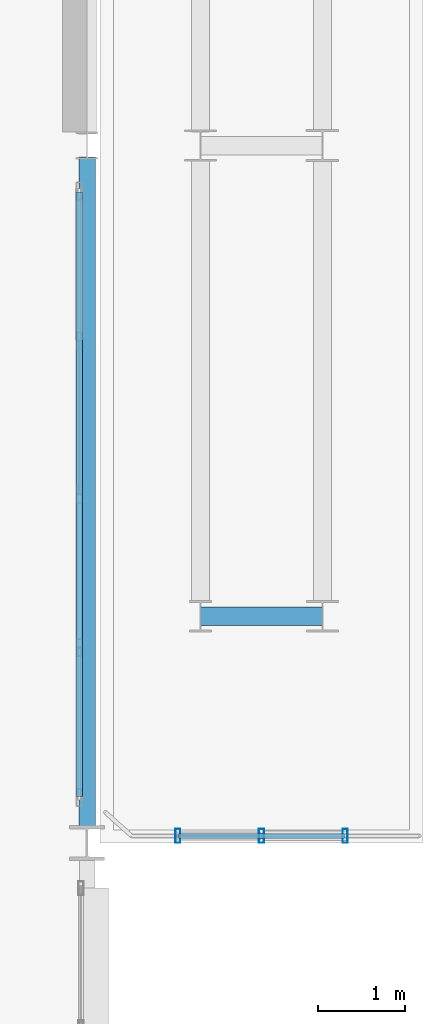
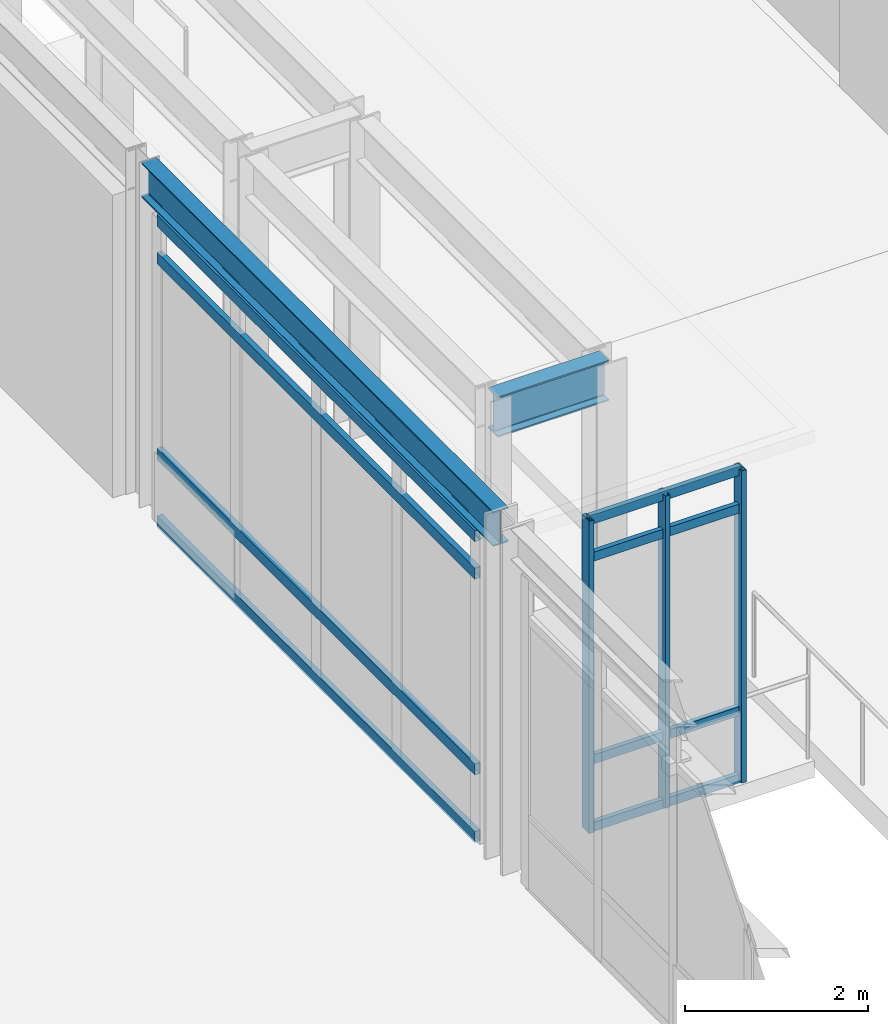
# One storey, part 29 of 200: 11 members, 2 beams, 2 elements without a shape of their own.
"""IFC4 building model written with IfcOpenShell, lengths in metres."""

from ifc_helpers import new_model, si_unit, direction, frame, origin, origin_2d, place, context, subcontext, project, spatial, hollow_rectangle, i_section, extrude, material, material_profile, profile_set, type_object, element, aggregate, save


model = new_model("IFC4")

# Units and contexts
model_context = context("Model", 3, precision=1e-05, world=origin(), true_north=direction((0.0, 1.0)))
body_context = subcontext(model_context, "Body", "Model", "MODEL_VIEW")
ifc_project = project(units=[si_unit("LENGTHUNIT", "METRE"), si_unit("AREAUNIT", "SQUARE_METRE"), si_unit("VOLUMEUNIT", "CUBIC_METRE"), si_unit("PLANEANGLEUNIT", "RADIAN"), si_unit("MASSUNIT", "GRAM", prefix="KILO"), si_unit("THERMODYNAMICTEMPERATUREUNIT", "KELVIN"), si_unit("POWERUNIT", "WATT")], contexts=[model_context])

# Site, building, storey
site_placement = place(None, origin())
site = spatial("IfcSite", under=ifc_project, at=site_placement, CompositionType="ELEMENT")
building_placement = place(site_placement, origin())
building = spatial("IfcBuilding", under=site, at=building_placement, Name="Tepalcoro Natatorium and Aquatics Centre", CompositionType="ELEMENT")
storey_placement = place(building_placement, frame((0.0, 0.0, 5.39990234375)))
storey = spatial("IfcBuildingStorey", under=building, at=storey_placement, Name="L01", CompositionType="ELEMENT", Elevation=5.39990234375)

# Beam
ifc_material_1 = material(Name="Steel ASTM A992 Grade 50 (Fy 345 MPa)", Category="steel")
ifc_material_profile_1 = material_profile(ifc_material_1, i_section(OverallWidth=0.2109375, OverallDepth=0.5380859375, WebThickness=0.011962890625, FlangeThickness=0.01904296875, FilletRadius=0.013916015625, at=origin_2d()), Name="W21X73")
ifc_profile_set_1 = profile_set([ifc_material_profile_1], Name="Steel ASTM A992 Grade 50 (Fy 345 MPa)")
beam_type_1 = type_object("IfcBeamType", Name="BM_LINK_LB1", PredefinedType="BEAM", material=ifc_profile_set_1)
beam_1_placement = place(storey_placement, frame((37.300048828125, 30.60009765625, 3.9560546875), z_axis=(1.0, 0.0, 0.0), x_axis=(0.0, 1.0, 0.0)))
element("IfcBeam", 1, at=beam_1_placement, inside=storey, type_object=beam_type_1, Name="Seismic passage link beam LB1 (V6W L01)", PredefinedType="BEAM", context=body_context, shape_type="SweptSolid", body=[
    extrude(i_section(OverallWidth=0.2109375, OverallDepth=0.5380859375, WebThickness=0.011962890625, FlangeThickness=0.01904296875, FilletRadius=0.013916015625, at=origin_2d()), origin(), (0.0, 0.0, 1.0), 1.39990234375),
])

# Curtain wall, members
ifc_material_2 = material(Name="Bronze-Anodised Extruded Aluminium Alloy EN AW-6063 T6", Category="aluminium")
curtain_wall_type_1 = type_object("IfcCurtainWallType", Name="CW_LINK_150", PredefinedType="USERDEFINED", material=ifc_material_2)
curtain_wall_1_placement = place(storey_placement, origin())
curtain_wall_1 = element("IfcCurtainWall", 2, at=curtain_wall_1_placement, inside=storey, type_object=curtain_wall_type_1, Name="West Foyer Seismic Link Glazed Wall S L01", ObjectType="UNITISED STOREFRONT", PredefinedType="USERDEFINED")
ifc_material_profile_2 = material_profile(ifc_material_2, hollow_rectangle(XDim=0.06005859375, YDim=0.159912109375, WallThickness=0.00390625, at=origin_2d()), Name="AL60X160X4")
ifc_profile_set_2 = profile_set([ifc_material_profile_2], Name="Bronze-Anodised Extruded Aluminium Alloy EN AW-6063 T6")
member_type_1 = type_object("IfcMemberType", Name="CW_MUL_60x160", PredefinedType="MULLION", material=ifc_profile_set_2)
member_1_placement = place(storey_placement, frame((37.0400390625, 28.080078125, 0.02001953125), z_axis=(0.0, 0.0, 1.0), x_axis=(1.0, 0.0, 0.0)))
member_1 = element("IfcMember", 3, at=member_1_placement, type_object=member_type_1, Name="CW_LINK_150 Curtain Wall Mullion", PredefinedType="MULLION", context=body_context, shape_type="SweptSolid", body=[
    extrude(hollow_rectangle(XDim=0.06005859375, YDim=0.159912109375, WallThickness=0.00390625, at=origin_2d()), origin(), (0.0, 0.0, 1.0), 4.16015625),
])
member_2_placement = place(storey_placement, frame((38.0, 28.080078125, 0.02001953125), z_axis=(0.0, 0.0, 1.0), x_axis=(1.0, 0.0, 0.0)))
member_2 = element("IfcMember", 4, at=member_2_placement, type_object=member_type_1, Name="CW_LINK_150 Curtain Wall Mullion", PredefinedType="MULLION", context=body_context, shape_type="SweptSolid", body=[
    extrude(hollow_rectangle(XDim=0.06005859375, YDim=0.159912109375, WallThickness=0.00390625, at=origin_2d()), origin(), (0.0, 0.0, 1.0), 4.16015625),
])
member_3_placement = place(storey_placement, frame((38.9599609375, 28.080078125, 0.02001953125), z_axis=(0.0, 0.0, 1.0), x_axis=(1.0, 0.0, 0.0)))
member_3 = element("IfcMember", 5, at=member_3_placement, type_object=member_type_1, Name="CW_LINK_150 Curtain Wall Mullion", PredefinedType="MULLION", context=body_context, shape_type="SweptSolid", body=[
    extrude(hollow_rectangle(XDim=0.06005859375, YDim=0.159912109375, WallThickness=0.00390625, at=origin_2d()), origin(), (0.0, 0.0, 1.0), 4.16015625),
])
ifc_material_profile_3 = material_profile(ifc_material_2, hollow_rectangle(XDim=0.06005859375, YDim=0.1201171875, WallThickness=0.00390625, at=origin_2d()), Name="AL60X120X4")
ifc_profile_set_3 = profile_set([ifc_material_profile_3], Name="Bronze-Anodised Extruded Aluminium Alloy EN AW-6063 T6")
member_type_2 = type_object("IfcMemberType", Name="CW_TRN_60x120", PredefinedType="USERDEFINED", material=ifc_profile_set_3)
member_4_placement = place(storey_placement, frame((37.050048828125, 28.080078125, 0.050048828125), z_axis=(1.0, 0.0, 0.0), x_axis=(0.0, 1.0, 0.0)))
member_4 = element("IfcMember", 6, at=member_4_placement, type_object=member_type_2, Name="CW_LINK_150 Curtain Wall Transom", ObjectType="TRANSOM", PredefinedType="USERDEFINED", context=body_context, shape_type="SweptSolid", body=[
    extrude(hollow_rectangle(XDim=0.06005859375, YDim=0.1201171875, WallThickness=0.00390625, at=origin_2d()), origin(), (0.0, 0.0, 1.0), 1.89990234375),
])
member_5_placement = place(storey_placement, frame((37.050048828125, 28.080078125, 0.9501953125), z_axis=(1.0, 0.0, 0.0), x_axis=(0.0, 1.0, 0.0)))
member_5 = element("IfcMember", 7, at=member_5_placement, type_object=member_type_2, Name="CW_LINK_150 Curtain Wall Transom", ObjectType="TRANSOM", PredefinedType="USERDEFINED", context=body_context, shape_type="SweptSolid", body=[
    extrude(hollow_rectangle(XDim=0.06005859375, YDim=0.1201171875, WallThickness=0.00390625, at=origin_2d()), origin(), (0.0, 0.0, 1.0), 1.89990234375),
])
member_6_placement = place(storey_placement, frame((37.050048828125, 28.080078125, 3.650146484375), z_axis=(1.0, 0.0, 0.0), x_axis=(0.0, 1.0, 0.0)))
member_6 = element("IfcMember", 8, at=member_6_placement, type_object=member_type_2, Name="CW_LINK_150 Curtain Wall Transom", ObjectType="TRANSOM", PredefinedType="USERDEFINED", context=body_context, shape_type="SweptSolid", body=[
    extrude(hollow_rectangle(XDim=0.06005859375, YDim=0.1201171875, WallThickness=0.00390625, at=origin_2d()), origin(), (0.0, 0.0, 1.0), 1.89990234375),
])
member_7_placement = place(storey_placement, frame((37.050048828125, 28.080078125, 4.150146484375), z_axis=(1.0, 0.0, 0.0), x_axis=(0.0, 1.0, 0.0)))
member_7 = element("IfcMember", 9, at=member_7_placement, type_object=member_type_2, Name="CW_LINK_150 Curtain Wall Transom", ObjectType="TRANSOM", PredefinedType="USERDEFINED", context=body_context, shape_type="SweptSolid", body=[
    extrude(hollow_rectangle(XDim=0.06005859375, YDim=0.1201171875, WallThickness=0.00390625, at=origin_2d()), origin(), (0.0, 0.0, 1.0), 1.89990234375),
])
aggregate(curtain_wall_1, [member_1, member_2, member_3, member_4, member_5, member_6, member_7])

curtain_wall_type_2 = type_object("IfcCurtainWallType", Name="CW_V1_PLINTH", PredefinedType="USERDEFINED", material=ifc_material_2)
curtain_wall_2_placement = place(storey_placement, origin())
curtain_wall_2 = element("IfcCurtainWall", 10, at=curtain_wall_2_placement, inside=storey, type_object=curtain_wall_type_2, Name="V3 L01 E Unitised Curtain Wall Bay 4", ObjectType="UNITISED STOREFRONT", PredefinedType="USERDEFINED")
ifc_material_profile_4 = material_profile(ifc_material_2, hollow_rectangle(XDim=0.070068359375, YDim=0.14990234375, WallThickness=0.00390625, at=origin_2d()), Name="AL70X150X4")
ifc_profile_set_4 = profile_set([ifc_material_profile_4], Name="Bronze-Anodised Extruded Aluminium Alloy EN AW-6063 T6")
member_type_3 = type_object("IfcMemberType", Name="CW_TRN_70x150", PredefinedType="USERDEFINED", material=ifc_profile_set_4)
member_8_placement = place(storey_placement, frame((35.909912109375, 28.530029296875, 0.050048828125), z_axis=(0.0, 1.0, 0.0), x_axis=(-1.0, 0.0, 0.0)))
member_8 = element("IfcMember", 11, at=member_8_placement, type_object=member_type_3, Name="CW_V1_PLINTH Curtain Wall Transom", ObjectType="TRANSOM", PredefinedType="USERDEFINED", context=body_context, shape_type="SweptSolid", body=[
    extrude(hollow_rectangle(XDim=0.070068359375, YDim=0.14990234375, WallThickness=0.00390625, at=origin_2d()), origin(), (0.0, 0.0, 1.0), 6.93994140625),
])
member_9_placement = place(storey_placement, frame((35.909912109375, 28.530029296875, 0.9501953125), z_axis=(0.0, 1.0, 0.0), x_axis=(-1.0, 0.0, 0.0)))
member_9 = element("IfcMember", 12, at=member_9_placement, type_object=member_type_3, Name="CW_V1_PLINTH Curtain Wall Transom", ObjectType="TRANSOM", PredefinedType="USERDEFINED", context=body_context, shape_type="SweptSolid", body=[
    extrude(hollow_rectangle(XDim=0.070068359375, YDim=0.14990234375, WallThickness=0.00390625, at=origin_2d()), origin(), (0.0, 0.0, 1.0), 6.93994140625),
])
member_10_placement = place(storey_placement, frame((35.909912109375, 28.530029296875, 3.56005859375), z_axis=(0.0, 1.0, 0.0), x_axis=(-1.0, 0.0, 0.0)))
member_10 = element("IfcMember", 13, at=member_10_placement, type_object=member_type_3, Name="CW_V1_PLINTH Curtain Wall Transom", ObjectType="TRANSOM", PredefinedType="USERDEFINED", context=body_context, shape_type="SweptSolid", body=[
    extrude(hollow_rectangle(XDim=0.070068359375, YDim=0.14990234375, WallThickness=0.00390625, at=origin_2d()), origin(), (0.0, 0.0, 1.0), 6.93994140625),
])
member_11_placement = place(storey_placement, frame((35.909912109375, 28.530029296875, 4.06005859375), z_axis=(0.0, 1.0, 0.0), x_axis=(-1.0, 0.0, 0.0)))
member_11 = element("IfcMember", 14, at=member_11_placement, type_object=member_type_3, Name="CW_V1_PLINTH Curtain Wall Transom", ObjectType="TRANSOM", PredefinedType="USERDEFINED", context=body_context, shape_type="SweptSolid", body=[
    extrude(hollow_rectangle(XDim=0.070068359375, YDim=0.14990234375, WallThickness=0.00390625, at=origin_2d()), origin(), (0.0, 0.0, 1.0), 6.93994140625),
])
aggregate(curtain_wall_2, [member_8, member_9, member_10, member_11])

# Beam
ifc_material_profile_5 = material_profile(ifc_material_1, i_section(OverallWidth=0.19091796875, OverallDepth=0.4599609375, WebThickness=0.010009765625, FlangeThickness=0.01611328125, FilletRadius=0.013916015625, at=origin_2d()), Name="W18X55")
ifc_profile_set_5 = profile_set([ifc_material_profile_5], Name="Steel ASTM A992 Grade 50 (Fy 345 MPa)")
beam_type_2 = type_object("IfcBeamType", Name="SP_W18x55", PredefinedType="SPANDREL", material=ifc_profile_set_5)
beam_2_placement = place(storey_placement, frame((36.0, 28.178466796875, 4.35498046875), z_axis=(0.0, 1.0, 0.0), x_axis=(-1.0, 0.0, 0.0)))
element("IfcBeam", 15, at=beam_2_placement, inside=storey, type_object=beam_type_2, Name="V3 L01 Grid Girder Y", PredefinedType="SPANDREL", context=body_context, shape_type="SweptSolid", body=[
    extrude(i_section(OverallWidth=0.19091796875, OverallDepth=0.4599609375, WebThickness=0.010009765625, FlangeThickness=0.01611328125, FilletRadius=0.013916015625, at=origin_2d()), origin(), (0.0, 0.0, 1.0), 7.68896484375),
])

save(model, "model.ifc")
